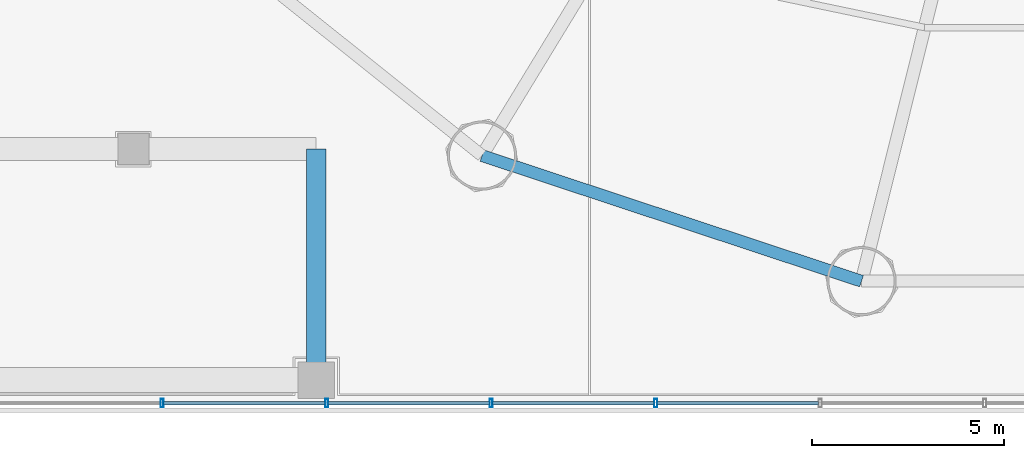
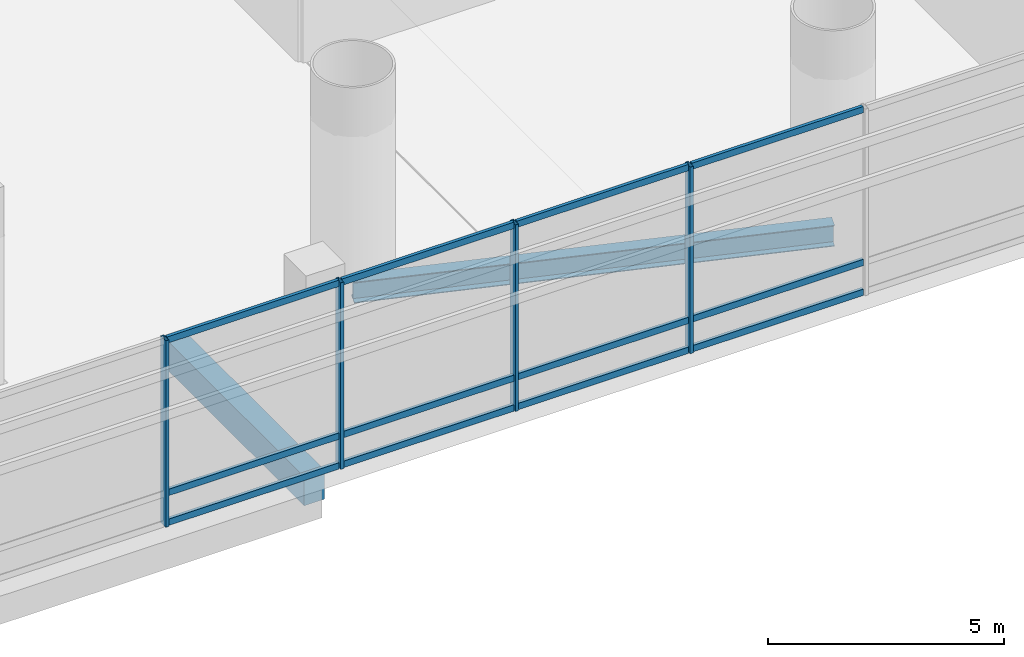
# One storey, part 4 of 31: 16 members, 2 beams, 1 element without a shape of its own.
"""IFC4 building model written with IfcOpenShell, lengths in metres."""

from ifc_helpers import new_model, si_unit, direction, frame, origin, origin_2d, place, context, subcontext, project, spatial, rectangle, hollow_rectangle, i_section, extrude, source, transform, mapped, material, material_profile, profile_set, type_object, element, aggregate, save


model = new_model("IFC4")

# Units and contexts
model_context = context("Model", 3, precision=1e-05, world=origin(), true_north=direction((-0.2419218956, 0.970295726276)))
body_context = subcontext(model_context, "Body", "Model", "MODEL_VIEW")
ifc_project = project(units=[si_unit("LENGTHUNIT", "METRE"), si_unit("AREAUNIT", "SQUARE_METRE"), si_unit("VOLUMEUNIT", "CUBIC_METRE"), si_unit("PLANEANGLEUNIT", "RADIAN"), si_unit("MASSUNIT", "GRAM", prefix="KILO")], contexts=[model_context])

# Site, building, storey
site_placement = place(None, origin())
site = spatial("IfcSite", under=ifc_project, at=site_placement, CompositionType="ELEMENT")
building_placement = place(site_placement, origin())
building = spatial("IfcBuilding", under=site, at=building_placement, Name="Cobrevalo Terracotta Tower", CompositionType="ELEMENT")
storey_placement = place(building_placement, frame((0.0, 0.0, 18.89990234375)))
storey = spatial("IfcBuildingStorey", under=building, at=storey_placement, Name="L04", CompositionType="ELEMENT", Elevation=18.89990234375)

# Beams
ifc_material_1 = material(Name="Steel S355", Category="steel")
ifc_material_profile_1 = material_profile(ifc_material_1, i_section(OverallWidth=0.31201171875, OverallDepth=0.54296875, WebThickness=0.0126953125, FlangeThickness=0.020263671875, at=origin_2d()), Name="W 530x150")
ifc_profile_set_1 = profile_set([ifc_material_profile_1], Name="Steel S355")
beam_type_1 = type_object("IfcBeamType", Name="Structural Spandrel W 530x150 (Steel S355)", PredefinedType="SPANDREL", material=ifc_profile_set_1)
beam_1_placement = place(storey_placement, frame((22.80517578125, 8.63232421875, -0.721435546875), z_axis=(0.949372202648, -0.314153498848, 0.0), x_axis=(0.314153498848, 0.949372202648, 0.0)))
element("IfcBeam", 1, at=beam_1_placement, inside=storey, type_object=beam_type_1, Name="L04 perimeter ring spandrel 11", PredefinedType="SPANDREL", context=body_context, shape_type="SweptSolid", body=[
    extrude(i_section(OverallWidth=0.31201171875, OverallDepth=0.54296875, WebThickness=0.0126953125, FlangeThickness=0.020263671875, at=origin_2d()), origin(), (0.0, 0.0, 1.0), 10.385009765625),
])
ifc_material_2 = material(Name="Concrete C50", Category="concrete")
ifc_material_profile_2 = material_profile(ifc_material_2, rectangle(XDim=0.5, YDim=0.75, at=origin_2d()), Name="RC BM 500x750")
ifc_profile_set_2 = profile_set([ifc_material_profile_2], Name="Concrete C50")
beam_type_2 = type_object("IfcBeamType", Name="Structural T Beam RC BM 500x750 (Concrete C50)", PredefinedType="T_BEAM", material=ifc_profile_set_2)
beam_2_placement = place(storey_placement, frame((18.5, 2.800048828125, -0.824951171875), z_axis=(0.0, 1.0, 0.0), x_axis=(-1.0, 0.0, 0.0)))
element("IfcBeam", 2, at=beam_2_placement, inside=storey, type_object=beam_type_2, Name="L04 podium grid beam G3-GA to G3-GB", PredefinedType="T_BEAM", context=body_context, shape_type="SweptSolid", body=[
    extrude(rectangle(XDim=0.5, YDim=0.75, at=origin_2d()), origin(), (0.0, 0.0, 1.0), 6.0),
])

# Curtain wall, members
ifc_material_3 = material(Name="Anodized aluminium", Category="aluminium")
curtain_wall_type = type_object("IfcCurtainWallType", Name="Podium gallery & conservatory curtain wall CW-S2", PredefinedType="NOTDEFINED", material=ifc_material_3)
curtain_wall_placement = place(storey_placement, origin())
curtain_wall = element("IfcCurtainWall", 3, at=curtain_wall_placement, inside=storey, type_object=curtain_wall_type, Name="L04 curtain wall CW-POD-L04-S", PredefinedType="NOTDEFINED")
ifc_material_profile_3 = material_profile(ifc_material_3, hollow_rectangle(XDim=0.080078125, YDim=0.1650390625, WallThickness=0.00439453125, at=origin_2d()), Name="CWT 80x165")
ifc_profile_set_3 = profile_set([ifc_material_profile_3], Name="Anodized aluminium")
member_type_1 = type_object("IfcMemberType", Name="Storefront & atrium aluminium transom 80x165", PredefinedType="USERDEFINED", material=ifc_profile_set_3)
shared_shape_1 = source(origin(), body_context, "Body", "SweptSolid", [
    extrude(hollow_rectangle(XDim=0.080078125, YDim=0.1650390625, WallThickness=0.00439453125, at=origin_2d()), origin(), (0.0, 0.0, 1.0), 4.193359375),
])
member_1_placement = place(storey_placement, frame((14.53662109375, 2.199951171875, 0.050048828125), z_axis=(1.0, 0.0, 0.0), x_axis=(0.0, 1.0, 0.0)))
member_1 = element("IfcMember", 4, at=member_1_placement, type_object=member_type_1, Name="CW-POD-L04-S transom B03-T1", ObjectType="TRANSOM", PredefinedType="USERDEFINED", context=body_context, shape_type="MappedRepresentation", body=[
    mapped(shared_shape_1, transform((0.0, 0.0, 0.0), scale=1.0)),
])
member_2_placement = place(storey_placement, frame((14.53662109375, 2.199951171875, 0.820068359375), z_axis=(1.0, 0.0, 0.0), x_axis=(0.0, 1.0, 0.0)))
member_2 = element("IfcMember", 5, at=member_2_placement, type_object=member_type_1, Name="CW-POD-L04-S transom B03-T2", ObjectType="TRANSOM", PredefinedType="USERDEFINED", context=body_context, shape_type="MappedRepresentation", body=[
    mapped(shared_shape_1, transform((0.0, 0.0, 0.0), scale=1.0)),
])
member_3_placement = place(storey_placement, frame((14.53662109375, 2.199951171875, 4.77001953125), z_axis=(1.0, 0.0, 0.0), x_axis=(0.0, 1.0, 0.0)))
member_3 = element("IfcMember", 6, at=member_3_placement, type_object=member_type_1, Name="CW-POD-L04-S transom B03-T3", ObjectType="TRANSOM", PredefinedType="USERDEFINED", context=body_context, shape_type="MappedRepresentation", body=[
    mapped(shared_shape_1, transform((0.0, 0.0, 0.0), scale=1.0)),
])
member_4_placement = place(storey_placement, frame((18.81005859375, 2.199951171875, 0.050048828125), z_axis=(1.0, 0.0, 0.0), x_axis=(0.0, 1.0, 0.0)))
member_4 = element("IfcMember", 7, at=member_4_placement, type_object=member_type_1, Name="CW-POD-L04-S transom B04-T1", ObjectType="TRANSOM", PredefinedType="USERDEFINED", context=body_context, shape_type="MappedRepresentation", body=[
    mapped(shared_shape_1, transform((0.0, 0.0, 0.0), scale=1.0)),
])
member_5_placement = place(storey_placement, frame((18.81005859375, 2.199951171875, 0.820068359375), z_axis=(1.0, 0.0, 0.0), x_axis=(0.0, 1.0, 0.0)))
member_5 = element("IfcMember", 8, at=member_5_placement, type_object=member_type_1, Name="CW-POD-L04-S transom B04-T2", ObjectType="TRANSOM", PredefinedType="USERDEFINED", context=body_context, shape_type="MappedRepresentation", body=[
    mapped(shared_shape_1, transform((0.0, 0.0, 0.0), scale=1.0)),
])
member_6_placement = place(storey_placement, frame((18.81005859375, 2.199951171875, 4.77001953125), z_axis=(1.0, 0.0, 0.0), x_axis=(0.0, 1.0, 0.0)))
member_6 = element("IfcMember", 9, at=member_6_placement, type_object=member_type_1, Name="CW-POD-L04-S transom B04-T3", ObjectType="TRANSOM", PredefinedType="USERDEFINED", context=body_context, shape_type="MappedRepresentation", body=[
    mapped(shared_shape_1, transform((0.0, 0.0, 0.0), scale=1.0)),
])
member_7_placement = place(storey_placement, frame((23.083251953125, 2.199951171875, 0.050048828125), z_axis=(1.0, 0.0, 0.0), x_axis=(0.0, 1.0, 0.0)))
member_7 = element("IfcMember", 10, at=member_7_placement, type_object=member_type_1, Name="CW-POD-L04-S transom B05-T1", ObjectType="TRANSOM", PredefinedType="USERDEFINED", context=body_context, shape_type="MappedRepresentation", body=[
    mapped(shared_shape_1, transform((0.0, 0.0, 0.0), scale=1.0)),
])
member_8_placement = place(storey_placement, frame((23.083251953125, 2.199951171875, 0.820068359375), z_axis=(1.0, 0.0, 0.0), x_axis=(0.0, 1.0, 0.0)))
member_8 = element("IfcMember", 11, at=member_8_placement, type_object=member_type_1, Name="CW-POD-L04-S transom B05-T2", ObjectType="TRANSOM", PredefinedType="USERDEFINED", context=body_context, shape_type="MappedRepresentation", body=[
    mapped(shared_shape_1, transform((0.0, 0.0, 0.0), scale=1.0)),
])
member_9_placement = place(storey_placement, frame((23.083251953125, 2.199951171875, 4.77001953125), z_axis=(1.0, 0.0, 0.0), x_axis=(0.0, 1.0, 0.0)))
member_9 = element("IfcMember", 12, at=member_9_placement, type_object=member_type_1, Name="CW-POD-L04-S transom B05-T3", ObjectType="TRANSOM", PredefinedType="USERDEFINED", context=body_context, shape_type="MappedRepresentation", body=[
    mapped(shared_shape_1, transform((0.0, 0.0, 0.0), scale=1.0)),
])
member_10_placement = place(storey_placement, frame((27.356689453125, 2.199951171875, 0.050048828125), z_axis=(1.0, 0.0, 0.0), x_axis=(0.0, 1.0, 0.0)))
member_10 = element("IfcMember", 13, at=member_10_placement, type_object=member_type_1, Name="CW-POD-L04-S transom B06-T1", ObjectType="TRANSOM", PredefinedType="USERDEFINED", context=body_context, shape_type="MappedRepresentation", body=[
    mapped(shared_shape_1, transform((0.0, 0.0, 0.0), scale=1.0)),
])
member_11_placement = place(storey_placement, frame((27.356689453125, 2.199951171875, 0.820068359375), z_axis=(1.0, 0.0, 0.0), x_axis=(0.0, 1.0, 0.0)))
member_11 = element("IfcMember", 14, at=member_11_placement, type_object=member_type_1, Name="CW-POD-L04-S transom B06-T2", ObjectType="TRANSOM", PredefinedType="USERDEFINED", context=body_context, shape_type="MappedRepresentation", body=[
    mapped(shared_shape_1, transform((0.0, 0.0, 0.0), scale=1.0)),
])
member_12_placement = place(storey_placement, frame((27.356689453125, 2.199951171875, 4.77001953125), z_axis=(1.0, 0.0, 0.0), x_axis=(0.0, 1.0, 0.0)))
member_12 = element("IfcMember", 15, at=member_12_placement, type_object=member_type_1, Name="CW-POD-L04-S transom B06-T3", ObjectType="TRANSOM", PredefinedType="USERDEFINED", context=body_context, shape_type="MappedRepresentation", body=[
    mapped(shared_shape_1, transform((0.0, 0.0, 0.0), scale=1.0)),
])
ifc_material_profile_4 = material_profile(ifc_material_3, hollow_rectangle(XDim=0.080078125, YDim=0.219970703125, WallThickness=0.0048828125, at=origin_2d()), Name="CWM 80x220")
ifc_profile_set_4 = profile_set([ifc_material_profile_4], Name="Anodized aluminium")
member_type_2 = type_object("IfcMemberType", Name="Storefront & atrium aluminium mullion 80x220", PredefinedType="MULLION", material=ifc_profile_set_4)
shared_shape_2 = source(origin(), body_context, "Body", "SweptSolid", [
    extrude(hollow_rectangle(XDim=0.080078125, YDim=0.219970703125, WallThickness=0.0048828125, at=origin_2d()), origin(), (0.0, 0.0, 1.0), 4.820068359375),
])
member_13_placement = place(storey_placement, frame((14.49658203125, 2.199951171875, 0.0), z_axis=(0.0, 0.0, 1.0), x_axis=(1.0, 0.0, 0.0)))
member_13 = element("IfcMember", 16, at=member_13_placement, type_object=member_type_2, Name="CW-POD-L04-S vertical mullion 03", PredefinedType="MULLION", context=body_context, shape_type="MappedRepresentation", body=[
    mapped(shared_shape_2, transform((0.0, 0.0, 0.0), scale=1.0)),
])
member_14_placement = place(storey_placement, frame((18.77001953125, 2.199951171875, 0.0), z_axis=(0.0, 0.0, 1.0), x_axis=(1.0, 0.0, 0.0)))
member_14 = element("IfcMember", 17, at=member_14_placement, type_object=member_type_2, Name="CW-POD-L04-S vertical mullion 04", PredefinedType="MULLION", context=body_context, shape_type="MappedRepresentation", body=[
    mapped(shared_shape_2, transform((0.0, 0.0, 0.0), scale=1.0)),
])
member_15_placement = place(storey_placement, frame((23.043212890625, 2.199951171875, 0.0), z_axis=(0.0, 0.0, 1.0), x_axis=(1.0, 0.0, 0.0)))
member_15 = element("IfcMember", 18, at=member_15_placement, type_object=member_type_2, Name="CW-POD-L04-S vertical mullion 05", PredefinedType="MULLION", context=body_context, shape_type="MappedRepresentation", body=[
    mapped(shared_shape_2, transform((0.0, 0.0, 0.0), scale=1.0)),
])
member_16_placement = place(storey_placement, frame((27.316650390625, 2.199951171875, 0.0), z_axis=(0.0, 0.0, 1.0), x_axis=(1.0, 0.0, 0.0)))
member_16 = element("IfcMember", 19, at=member_16_placement, type_object=member_type_2, Name="CW-POD-L04-S vertical mullion 06", PredefinedType="MULLION", context=body_context, shape_type="MappedRepresentation", body=[
    mapped(shared_shape_2, transform((0.0, 0.0, 0.0), scale=1.0)),
])
aggregate(curtain_wall, [member_13, member_14, member_15, member_16, member_1, member_2, member_3, member_4, member_5, member_6, member_7, member_8, member_9, member_10, member_11, member_12])

save(model, "model.ifc")
